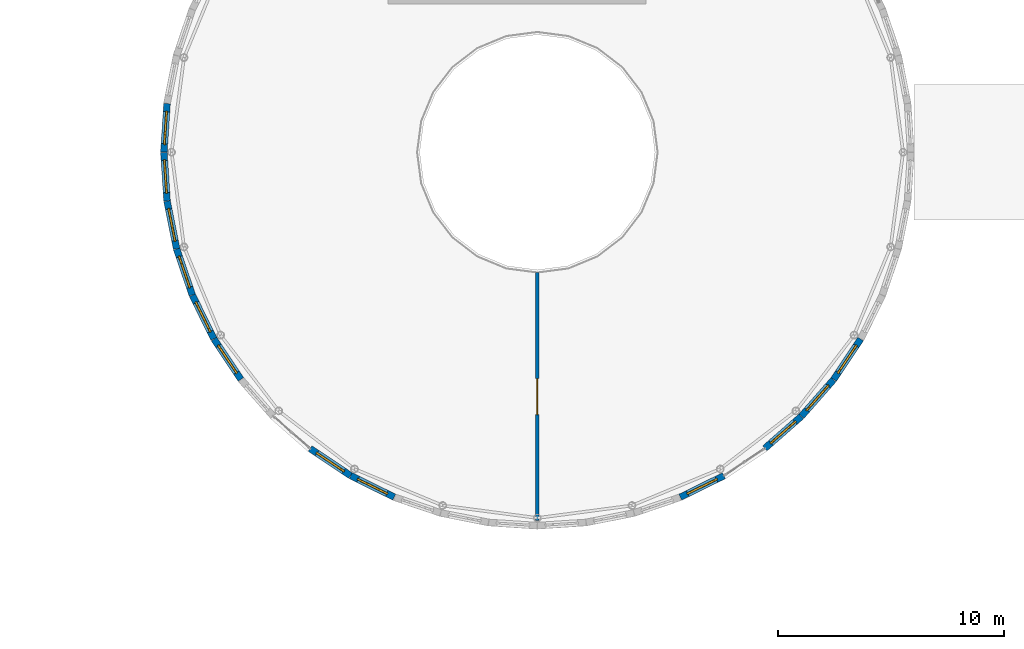
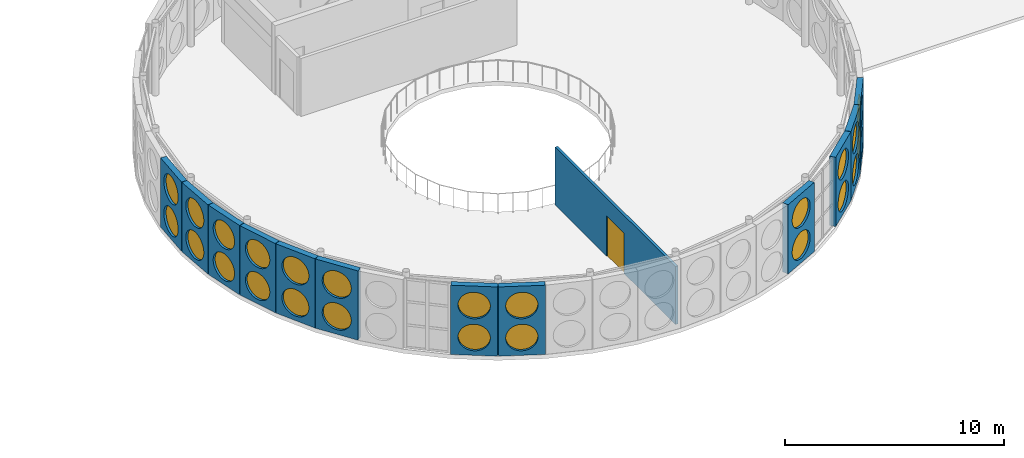
# One storey, part 159 of 189: 24 windows, 13 walls, 1 door, 25 openings.
"""IFC4 building model written with IfcOpenShell, lengths in metres."""

from ifc_helpers import new_model, si_unit, direction, frame, frame_2d, origin, place, context, subcontext, project, spatial, rectangle, circle, extrude, material, layer, layer_set, type_object, element, fill, save


model = new_model("IFC4")

# Units and contexts
model_context = context("Model", 3, precision=1e-05, world=origin(), true_north=direction((0.0, 1.0)))
body_context = subcontext(model_context, "Body", "Model", "MODEL_VIEW")
ifc_project = project(units=[si_unit("LENGTHUNIT", "METRE"), si_unit("AREAUNIT", "SQUARE_METRE"), si_unit("VOLUMEUNIT", "CUBIC_METRE"), si_unit("PLANEANGLEUNIT", "RADIAN"), si_unit("MASSUNIT", "GRAM", prefix="KILO")], contexts=[model_context])

# Site, building, storey
site_placement = place(None, origin())
site = spatial("IfcSite", under=ifc_project, at=site_placement, CompositionType="ELEMENT")
building_placement = place(site_placement, origin())
building = spatial("IfcBuilding", under=site, at=building_placement, Name="Montecoro Central Library", CompositionType="ELEMENT")
storey_placement = place(building_placement, frame((0.0, 0.0, 9.179931640625)))
storey = spatial("IfcBuildingStorey", under=building, at=storey_placement, Name="L02", CompositionType="ELEMENT", Elevation=9.179931640625)

# Wall, openings, windows
ifc_material_1 = material(Name="Travertine Roman Stone and concrete C35/45", Category="masonry")
ifc_layer_1 = layer(ifc_material_1, 0.294921875)
ifc_layer_set_1 = layer_set([ifc_layer_1], Name="Travertine Roman Stone and concrete C35/45")
wall_type_1 = type_object("IfcWallType", Name="EW-DRM-295", PredefinedType="SOLIDWALL", material=ifc_layer_set_1)
wall_1_placement = place(storey_placement, frame((75.219970703125, 37.548095703125, 0.0), z_axis=(0.0, 0.0, 1.0), x_axis=(-0.064773567518, -0.997899987449, 0.0)))
wall_1 = element("IfcWall", 1, at=wall_1_placement, inside=storey, type_object=wall_type_1, Name="V1-L02-EW-24", PredefinedType="SOLIDWALL", context=body_context, shape_type="SweptSolid", body=[
    extrude(rectangle(XDim=2.14453125, YDim=0.294921875, at=frame_2d((1.072265625, 0.0))), origin(), (0.0, 0.0, 1.0), 3.85498046875),
])
opening_1_placement = place(wall_1_placement, frame((0.33203125, 0.0, 0.25)))
opening_1 = element("IfcOpeningElement", 2, at=opening_1_placement, cuts=wall_1, Name="Opening WP-03", PredefinedType="OPENING", context=body_context, shape_type="SweptSolid", body=[
    extrude(circle(Radius=0.739990234375, at=frame_2d((0.739990234375, 0.739990234375))), frame((0.0, 0.157470703125, 0.0), z_axis=(0.0, -1.0, 0.0), x_axis=(1.0, 0.0, 0.0)), (0.0, 0.0, 1.0), 0.31494140625),
])
opening_2_placement = place(wall_1_placement, frame((0.33203125, 0.0, 2.030029296875)))
opening_2 = element("IfcOpeningElement", 3, at=opening_2_placement, cuts=wall_1, Name="Opening WP-04", PredefinedType="OPENING", context=body_context, shape_type="SweptSolid", body=[
    extrude(circle(Radius=0.739990234375, at=frame_2d((0.739990234375, 0.739990234375))), frame((0.0, 0.157470703125, 0.0), z_axis=(0.0, -1.0, 0.0), x_axis=(1.0, 0.0, 0.0)), (0.0, 0.0, 1.0), 0.31494140625),
])
ifc_material_2 = material(Name="Clear sky-blue low-E laminated glazing", Category="glass")
window_type_1 = type_object("IfcWindowType", Name="WN-POR-CLR-148", PartitioningType="SINGLE_PANEL", PredefinedType="WINDOW", material=ifc_material_2)
window_1_placement = place(opening_1_placement, origin())
window_1 = element("IfcWindow", 4, at=window_1_placement, inside=storey, type_object=window_type_1, Name="V1-L02-WP-24-1", OverallHeight=1.47998046875, OverallWidth=1.47998046875, PartitioningType="SINGLE_PANEL", PredefinedType="WINDOW", context=body_context, shape_type="SweptSolid", body=[
    extrude(circle(Radius=0.739990234375, at=frame_2d((0.739990234375, 0.739990234375))), frame((0.0, 0.030029296875, 0.0), z_axis=(0.0, -1.0, 0.0), x_axis=(1.0, 0.0, 0.0)), (0.0, 0.0, 1.0), 0.06005859375),
])
fill(opening_1, window_1)
ifc_material_3 = material(Name="Frosted pearl-white ceramic-fritted glazing", Category="glass")
window_type_2 = type_object("IfcWindowType", Name="WN-POR-FRT-148", PartitioningType="SINGLE_PANEL", PredefinedType="WINDOW", material=ifc_material_3)
window_2_placement = place(opening_2_placement, origin())
window_2 = element("IfcWindow", 5, at=window_2_placement, inside=storey, type_object=window_type_2, Name="V1-L02-WP-24-2", OverallHeight=1.47998046875, OverallWidth=1.47998046875, PartitioningType="SINGLE_PANEL", PredefinedType="WINDOW", context=body_context, shape_type="SweptSolid", body=[
    extrude(circle(Radius=0.739990234375, at=frame_2d((0.739990234375, 0.739990234375))), frame((0.0, 0.030029296875, 0.0), z_axis=(0.0, -1.0, 0.0), x_axis=(1.0, 0.0, 0.0)), (0.0, 0.0, 1.0), 0.06005859375),
])
fill(opening_2, window_2)

wall_2_placement = place(storey_placement, frame((75.0810546875, 35.39208984375, 0.0), z_axis=(0.0, 0.0, 1.0), x_axis=(0.064773567518, -0.997899987449, 0.0)))
wall_2 = element("IfcWall", 6, at=wall_2_placement, inside=storey, type_object=wall_type_1, Name="V1-L02-EW-25", PredefinedType="SOLIDWALL", context=body_context, shape_type="SweptSolid", body=[
    extrude(rectangle(XDim=2.14453125, YDim=0.294921875, at=frame_2d((1.072265625, 0.0))), origin(), (0.0, 0.0, 1.0), 3.85498046875),
])
opening_3_placement = place(wall_2_placement, frame((0.33203125, 0.0, 0.25)))
opening_3 = element("IfcOpeningElement", 7, at=opening_3_placement, cuts=wall_2, Name="Opening WP-04", PredefinedType="OPENING", context=body_context, shape_type="SweptSolid", body=[
    extrude(circle(Radius=0.739990234375, at=frame_2d((0.739990234375, 0.739990234375))), frame((0.0, 0.157470703125, 0.0), z_axis=(0.0, -1.0, 0.0), x_axis=(1.0, 0.0, 0.0)), (0.0, 0.0, 1.0), 0.31494140625),
])
opening_4_placement = place(wall_2_placement, frame((0.33203125, 0.0, 2.030029296875)))
opening_4 = element("IfcOpeningElement", 8, at=opening_4_placement, cuts=wall_2, Name="Opening WP-03", PredefinedType="OPENING", context=body_context, shape_type="SweptSolid", body=[
    extrude(circle(Radius=0.739990234375, at=frame_2d((0.739990234375, 0.739990234375))), frame((0.0, 0.157470703125, 0.0), z_axis=(0.0, -1.0, 0.0), x_axis=(1.0, 0.0, 0.0)), (0.0, 0.0, 1.0), 0.31494140625),
])
window_3_placement = place(opening_4_placement, origin())
window_3 = element("IfcWindow", 9, at=window_3_placement, inside=storey, type_object=window_type_1, Name="V1-L02-WP-25-2", OverallHeight=1.47998046875, OverallWidth=1.47998046875, PartitioningType="SINGLE_PANEL", PredefinedType="WINDOW", context=body_context, shape_type="SweptSolid", body=[
    extrude(circle(Radius=0.739990234375, at=frame_2d((0.739990234375, 0.739990234375))), frame((0.0, 0.030029296875, 0.0), z_axis=(0.0, -1.0, 0.0), x_axis=(1.0, 0.0, 0.0)), (0.0, 0.0, 1.0), 0.06005859375),
])
fill(opening_4, window_3)
window_4_placement = place(opening_3_placement, origin())
window_4 = element("IfcWindow", 10, at=window_4_placement, inside=storey, type_object=window_type_2, Name="V1-L02-WP-25-1", OverallHeight=1.47998046875, OverallWidth=1.47998046875, PartitioningType="SINGLE_PANEL", PredefinedType="WINDOW", context=body_context, shape_type="SweptSolid", body=[
    extrude(circle(Radius=0.739990234375, at=frame_2d((0.739990234375, 0.739990234375))), frame((0.0, 0.030029296875, 0.0), z_axis=(0.0, -1.0, 0.0), x_axis=(1.0, 0.0, 0.0)), (0.0, 0.0, 1.0), 0.06005859375),
])
fill(opening_3, window_4)

wall_3_placement = place(storey_placement, frame((75.222900390625, 33.236083984375, 0.0), z_axis=(0.0, 0.0, 1.0), x_axis=(0.194956014446, -0.98081198628, 0.0)))
wall_3 = element("IfcWall", 11, at=wall_3_placement, inside=storey, type_object=wall_type_1, Name="V1-L02-EW-26", PredefinedType="SOLIDWALL", context=body_context, shape_type="SweptSolid", body=[
    extrude(rectangle(XDim=2.145263671875, YDim=0.294921875, at=frame_2d((1.07275390625, 0.0))), origin(), (0.0, 0.0, 1.0), 3.85498046875),
])
opening_5_placement = place(wall_3_placement, frame((0.3330078125, 0.0, 0.25)))
opening_5 = element("IfcOpeningElement", 12, at=opening_5_placement, cuts=wall_3, Name="Opening WP-03", PredefinedType="OPENING", context=body_context, shape_type="SweptSolid", body=[
    extrude(circle(Radius=0.739990234375, at=frame_2d((0.739990234375, 0.739990234375))), frame((0.0, 0.157470703125, 0.0), z_axis=(0.0, -1.0, 0.0), x_axis=(1.0, 0.0, 0.0)), (0.0, 0.0, 1.0), 0.31494140625),
])
opening_6_placement = place(wall_3_placement, frame((0.3330078125, 0.0, 2.030029296875)))
opening_6 = element("IfcOpeningElement", 13, at=opening_6_placement, cuts=wall_3, Name="Opening WP-04", PredefinedType="OPENING", context=body_context, shape_type="SweptSolid", body=[
    extrude(circle(Radius=0.739990234375, at=frame_2d((0.739990234375, 0.739990234375))), frame((0.0, 0.157470703125, 0.0), z_axis=(0.0, -1.0, 0.0), x_axis=(1.0, 0.0, 0.0)), (0.0, 0.0, 1.0), 0.31494140625),
])
window_5_placement = place(opening_5_placement, origin())
window_5 = element("IfcWindow", 14, at=window_5_placement, inside=storey, type_object=window_type_1, Name="V1-L02-WP-26-1", OverallHeight=1.47998046875, OverallWidth=1.47998046875, PartitioningType="SINGLE_PANEL", PredefinedType="WINDOW", context=body_context, shape_type="SweptSolid", body=[
    extrude(circle(Radius=0.739990234375, at=frame_2d((0.739990234375, 0.739990234375))), frame((0.0, 0.030029296875, 0.0), z_axis=(0.0, -1.0, 0.0), x_axis=(1.0, 0.0, 0.0)), (0.0, 0.0, 1.0), 0.06005859375),
])
fill(opening_5, window_5)
window_6_placement = place(opening_6_placement, origin())
window_6 = element("IfcWindow", 15, at=window_6_placement, inside=storey, type_object=window_type_2, Name="V1-L02-WP-26-2", OverallHeight=1.47998046875, OverallWidth=1.47998046875, PartitioningType="SINGLE_PANEL", PredefinedType="WINDOW", context=body_context, shape_type="SweptSolid", body=[
    extrude(circle(Radius=0.739990234375, at=frame_2d((0.739990234375, 0.739990234375))), frame((0.0, 0.030029296875, 0.0), z_axis=(0.0, -1.0, 0.0), x_axis=(1.0, 0.0, 0.0)), (0.0, 0.0, 1.0), 0.06005859375),
])
fill(opening_6, window_6)

wall_4_placement = place(storey_placement, frame((75.64599609375, 31.115966796875, 0.0), z_axis=(0.0, 0.0, 1.0), x_axis=(0.321382058047, -0.946949614692, 0.0)))
wall_4 = element("IfcWall", 16, at=wall_4_placement, inside=storey, type_object=wall_type_1, Name="V1-L02-EW-27", PredefinedType="SOLIDWALL", context=body_context, shape_type="SweptSolid", body=[
    extrude(rectangle(XDim=2.143798828125, YDim=0.294921875, at=frame_2d((1.07177734375, 0.0))), origin(), (0.0, 0.0, 1.0), 3.85498046875),
])
opening_7_placement = place(wall_4_placement, frame((0.33203125, 0.0, 0.25)))
opening_7 = element("IfcOpeningElement", 17, at=opening_7_placement, cuts=wall_4, Name="Opening WP-04", PredefinedType="OPENING", context=body_context, shape_type="SweptSolid", body=[
    extrude(circle(Radius=0.739990234375, at=frame_2d((0.739990234375, 0.739990234375))), frame((0.0, 0.157470703125, 0.0), z_axis=(0.0, -1.0, 0.0), x_axis=(1.0, 0.0, 0.0)), (0.0, 0.0, 1.0), 0.31494140625),
])
opening_8_placement = place(wall_4_placement, frame((0.33203125, 0.0, 2.030029296875)))
opening_8 = element("IfcOpeningElement", 18, at=opening_8_placement, cuts=wall_4, Name="Opening WP-03", PredefinedType="OPENING", context=body_context, shape_type="SweptSolid", body=[
    extrude(circle(Radius=0.739990234375, at=frame_2d((0.739990234375, 0.739990234375))), frame((0.0, 0.157470703125, 0.0), z_axis=(0.0, -1.0, 0.0), x_axis=(1.0, 0.0, 0.0)), (0.0, 0.0, 1.0), 0.31494140625),
])
window_7_placement = place(opening_8_placement, origin())
window_7 = element("IfcWindow", 19, at=window_7_placement, inside=storey, type_object=window_type_1, Name="V1-L02-WP-27-2", OverallHeight=1.47998046875, OverallWidth=1.47998046875, PartitioningType="SINGLE_PANEL", PredefinedType="WINDOW", context=body_context, shape_type="SweptSolid", body=[
    extrude(circle(Radius=0.739990234375, at=frame_2d((0.739990234375, 0.739990234375))), frame((0.0, 0.030029296875, 0.0), z_axis=(0.0, -1.0, 0.0), x_axis=(1.0, 0.0, 0.0)), (0.0, 0.0, 1.0), 0.06005859375),
])
fill(opening_8, window_7)
window_8_placement = place(opening_7_placement, origin())
window_8 = element("IfcWindow", 20, at=window_8_placement, inside=storey, type_object=window_type_2, Name="V1-L02-WP-27-1", OverallHeight=1.47998046875, OverallWidth=1.47998046875, PartitioningType="SINGLE_PANEL", PredefinedType="WINDOW", context=body_context, shape_type="SweptSolid", body=[
    extrude(circle(Radius=0.739990234375, at=frame_2d((0.739990234375, 0.739990234375))), frame((0.0, 0.030029296875, 0.0), z_axis=(0.0, -1.0, 0.0), x_axis=(1.0, 0.0, 0.0)), (0.0, 0.0, 1.0), 0.06005859375),
])
fill(opening_7, window_8)

wall_5_placement = place(storey_placement, frame((76.342041015625, 29.071044921875, 0.0), z_axis=(0.0, 0.0, 1.0), x_axis=(0.441603666205, -0.897210232885, 0.0)))
wall_5 = element("IfcWall", 21, at=wall_5_placement, inside=storey, type_object=wall_type_1, Name="V1-L02-EW-28", PredefinedType="SOLIDWALL", context=body_context, shape_type="SweptSolid", body=[
    extrude(rectangle(XDim=2.14453125, YDim=0.294921875, at=frame_2d((1.072265625, 0.0))), origin(), (0.0, 0.0, 1.0), 3.85498046875),
])
opening_9_placement = place(wall_5_placement, frame((0.33203125, 0.0, 0.25)))
opening_9 = element("IfcOpeningElement", 22, at=opening_9_placement, cuts=wall_5, Name="Opening WP-03", PredefinedType="OPENING", context=body_context, shape_type="SweptSolid", body=[
    extrude(circle(Radius=0.739990234375, at=frame_2d((0.739990234375, 0.739990234375))), frame((0.0, 0.157470703125, 0.0), z_axis=(0.0, -1.0, 0.0), x_axis=(1.0, 0.0, 0.0)), (0.0, 0.0, 1.0), 0.31494140625),
])
opening_10_placement = place(wall_5_placement, frame((0.33203125, 0.0, 2.030029296875)))
opening_10 = element("IfcOpeningElement", 23, at=opening_10_placement, cuts=wall_5, Name="Opening WP-04", PredefinedType="OPENING", context=body_context, shape_type="SweptSolid", body=[
    extrude(circle(Radius=0.739990234375, at=frame_2d((0.739990234375, 0.739990234375))), frame((0.0, 0.157470703125, 0.0), z_axis=(0.0, -1.0, 0.0), x_axis=(1.0, 0.0, 0.0)), (0.0, 0.0, 1.0), 0.31494140625),
])
window_9_placement = place(opening_9_placement, origin())
window_9 = element("IfcWindow", 24, at=window_9_placement, inside=storey, type_object=window_type_1, Name="V1-L02-WP-28-1", OverallHeight=1.47998046875, OverallWidth=1.47998046875, PartitioningType="SINGLE_PANEL", PredefinedType="WINDOW", context=body_context, shape_type="SweptSolid", body=[
    extrude(circle(Radius=0.739990234375, at=frame_2d((0.739990234375, 0.739990234375))), frame((0.0, 0.030029296875, 0.0), z_axis=(0.0, -1.0, 0.0), x_axis=(1.0, 0.0, 0.0)), (0.0, 0.0, 1.0), 0.06005859375),
])
fill(opening_9, window_9)
window_10_placement = place(opening_10_placement, origin())
window_10 = element("IfcWindow", 25, at=window_10_placement, inside=storey, type_object=window_type_2, Name="V1-L02-WP-28-2", OverallHeight=1.47998046875, OverallWidth=1.47998046875, PartitioningType="SINGLE_PANEL", PredefinedType="WINDOW", context=body_context, shape_type="SweptSolid", body=[
    extrude(circle(Radius=0.739990234375, at=frame_2d((0.739990234375, 0.739990234375))), frame((0.0, 0.030029296875, 0.0), z_axis=(0.0, -1.0, 0.0), x_axis=(1.0, 0.0, 0.0)), (0.0, 0.0, 1.0), 0.06005859375),
])
fill(opening_10, window_10)

wall_6_placement = place(storey_placement, frame((77.297119140625, 27.133056640625, 0.0), z_axis=(0.0, 0.0, 1.0), x_axis=(0.556065143197, -0.831138710759, 0.0)))
wall_6 = element("IfcWall", 26, at=wall_6_placement, inside=storey, type_object=wall_type_1, Name="V1-L02-EW-29", PredefinedType="SOLIDWALL", context=body_context, shape_type="SweptSolid", body=[
    extrude(rectangle(XDim=2.145263671875, YDim=0.294921875, at=frame_2d((1.07275390625, 0.0))), origin(), (0.0, 0.0, 1.0), 3.85498046875),
])
opening_11_placement = place(wall_6_placement, frame((0.3330078125, 0.0, 0.25)))
opening_11 = element("IfcOpeningElement", 27, at=opening_11_placement, cuts=wall_6, Name="Opening WP-04", PredefinedType="OPENING", context=body_context, shape_type="SweptSolid", body=[
    extrude(circle(Radius=0.739990234375, at=frame_2d((0.739990234375, 0.739990234375))), frame((0.0, 0.157470703125, 0.0), z_axis=(0.0, -1.0, 0.0), x_axis=(1.0, 0.0, 0.0)), (0.0, 0.0, 1.0), 0.31494140625),
])
opening_12_placement = place(wall_6_placement, frame((0.3330078125, 0.0, 2.030029296875)))
opening_12 = element("IfcOpeningElement", 28, at=opening_12_placement, cuts=wall_6, Name="Opening WP-03", PredefinedType="OPENING", context=body_context, shape_type="SweptSolid", body=[
    extrude(circle(Radius=0.739990234375, at=frame_2d((0.739990234375, 0.739990234375))), frame((0.0, 0.157470703125, 0.0), z_axis=(0.0, -1.0, 0.0), x_axis=(1.0, 0.0, 0.0)), (0.0, 0.0, 1.0), 0.31494140625),
])
window_11_placement = place(opening_12_placement, origin())
window_11 = element("IfcWindow", 29, at=window_11_placement, inside=storey, type_object=window_type_1, Name="V1-L02-WP-29-2", OverallHeight=1.47998046875, OverallWidth=1.47998046875, PartitioningType="SINGLE_PANEL", PredefinedType="WINDOW", context=body_context, shape_type="SweptSolid", body=[
    extrude(circle(Radius=0.739990234375, at=frame_2d((0.739990234375, 0.739990234375))), frame((0.0, 0.030029296875, 0.0), z_axis=(0.0, -1.0, 0.0), x_axis=(1.0, 0.0, 0.0)), (0.0, 0.0, 1.0), 0.06005859375),
])
fill(opening_12, window_11)
window_12_placement = place(opening_11_placement, origin())
window_12 = element("IfcWindow", 30, at=window_12_placement, inside=storey, type_object=window_type_2, Name="V1-L02-WP-29-1", OverallHeight=1.47998046875, OverallWidth=1.47998046875, PartitioningType="SINGLE_PANEL", PredefinedType="WINDOW", context=body_context, shape_type="SweptSolid", body=[
    extrude(circle(Radius=0.739990234375, at=frame_2d((0.739990234375, 0.739990234375))), frame((0.0, 0.030029296875, 0.0), z_axis=(0.0, -1.0, 0.0), x_axis=(1.0, 0.0, 0.0)), (0.0, 0.0, 1.0), 0.06005859375),
])
fill(opening_11, window_12)

wall_7_placement = place(storey_placement, frame((81.550048828125, 22.2900390625, 0.0), z_axis=(0.0, 0.0, 1.0), x_axis=(0.831086112108, -0.556143753234, 0.0)))
wall_7 = element("IfcWall", 31, at=wall_7_placement, inside=storey, type_object=wall_type_1, Name="V1-L02-EW-32", PredefinedType="SOLIDWALL", context=body_context, shape_type="SweptSolid", body=[
    extrude(rectangle(XDim=2.145263671875, YDim=0.294921875, at=frame_2d((1.07275390625, 0.0))), origin(), (0.0, 0.0, 1.0), 3.85498046875),
])
opening_13_placement = place(wall_7_placement, frame((0.3330078125, 0.0, 0.25)))
opening_13 = element("IfcOpeningElement", 32, at=opening_13_placement, cuts=wall_7, Name="Opening WP-03", PredefinedType="OPENING", context=body_context, shape_type="SweptSolid", body=[
    extrude(circle(Radius=0.739990234375, at=frame_2d((0.739990234375, 0.739990234375))), frame((0.0, 0.157470703125, 0.0), z_axis=(0.0, -1.0, 0.0), x_axis=(1.0, 0.0, 0.0)), (0.0, 0.0, 1.0), 0.31494140625),
])
opening_14_placement = place(wall_7_placement, frame((0.3330078125, 0.0, 2.030029296875)))
opening_14 = element("IfcOpeningElement", 33, at=opening_14_placement, cuts=wall_7, Name="Opening WP-04", PredefinedType="OPENING", context=body_context, shape_type="SweptSolid", body=[
    extrude(circle(Radius=0.739990234375, at=frame_2d((0.739990234375, 0.739990234375))), frame((0.0, 0.157470703125, 0.0), z_axis=(0.0, -1.0, 0.0), x_axis=(1.0, 0.0, 0.0)), (0.0, 0.0, 1.0), 0.31494140625),
])
window_13_placement = place(opening_13_placement, origin())
window_13 = element("IfcWindow", 34, at=window_13_placement, inside=storey, type_object=window_type_1, Name="V1-L02-WP-32-1", OverallHeight=1.47998046875, OverallWidth=1.47998046875, PartitioningType="SINGLE_PANEL", PredefinedType="WINDOW", context=body_context, shape_type="SweptSolid", body=[
    extrude(circle(Radius=0.739990234375, at=frame_2d((0.739990234375, 0.739990234375))), frame((0.0, 0.030029296875, 0.0), z_axis=(0.0, -1.0, 0.0), x_axis=(1.0, 0.0, 0.0)), (0.0, 0.0, 1.0), 0.06005859375),
])
fill(opening_13, window_13)
window_14_placement = place(opening_14_placement, origin())
window_14 = element("IfcWindow", 35, at=window_14_placement, inside=storey, type_object=window_type_2, Name="V1-L02-WP-32-2", OverallHeight=1.47998046875, OverallWidth=1.47998046875, PartitioningType="SINGLE_PANEL", PredefinedType="WINDOW", context=body_context, shape_type="SweptSolid", body=[
    extrude(circle(Radius=0.739990234375, at=frame_2d((0.739990234375, 0.739990234375))), frame((0.0, 0.030029296875, 0.0), z_axis=(0.0, -1.0, 0.0), x_axis=(1.0, 0.0, 0.0)), (0.0, 0.0, 1.0), 0.06005859375),
])
fill(opening_14, window_14)

wall_8_placement = place(storey_placement, frame((83.346923828125, 21.089111328125, 0.0), z_axis=(0.0, 0.0, 1.0), x_axis=(0.897210232885, -0.441603666205, 0.0)))
wall_8 = element("IfcWall", 36, at=wall_8_placement, inside=storey, type_object=wall_type_1, Name="V1-L02-EW-33", PredefinedType="SOLIDWALL", context=body_context, shape_type="SweptSolid", body=[
    extrude(rectangle(XDim=2.14453125, YDim=0.294921875, at=frame_2d((1.072265625, 0.0))), origin(), (0.0, 0.0, 1.0), 3.85498046875),
])
opening_15_placement = place(wall_8_placement, frame((0.33203125, 0.0, 0.25)))
opening_15 = element("IfcOpeningElement", 37, at=opening_15_placement, cuts=wall_8, Name="Opening WP-04", PredefinedType="OPENING", context=body_context, shape_type="SweptSolid", body=[
    extrude(circle(Radius=0.739990234375, at=frame_2d((0.739990234375, 0.739990234375))), frame((0.0, 0.157470703125, 0.0), z_axis=(0.0, -1.0, 0.0), x_axis=(1.0, 0.0, 0.0)), (0.0, 0.0, 1.0), 0.31494140625),
])
opening_16_placement = place(wall_8_placement, frame((0.33203125, 0.0, 2.030029296875)))
opening_16 = element("IfcOpeningElement", 38, at=opening_16_placement, cuts=wall_8, Name="Opening WP-03", PredefinedType="OPENING", context=body_context, shape_type="SweptSolid", body=[
    extrude(circle(Radius=0.739990234375, at=frame_2d((0.739990234375, 0.739990234375))), frame((0.0, 0.157470703125, 0.0), z_axis=(0.0, -1.0, 0.0), x_axis=(1.0, 0.0, 0.0)), (0.0, 0.0, 1.0), 0.31494140625),
])
window_15_placement = place(opening_16_placement, origin())
window_15 = element("IfcWindow", 39, at=window_15_placement, inside=storey, type_object=window_type_1, Name="V1-L02-WP-33-2", OverallHeight=1.47998046875, OverallWidth=1.47998046875, PartitioningType="SINGLE_PANEL", PredefinedType="WINDOW", context=body_context, shape_type="SweptSolid", body=[
    extrude(circle(Radius=0.739990234375, at=frame_2d((0.739990234375, 0.739990234375))), frame((0.0, 0.030029296875, 0.0), z_axis=(0.0, -1.0, 0.0), x_axis=(1.0, 0.0, 0.0)), (0.0, 0.0, 1.0), 0.06005859375),
])
fill(opening_16, window_15)
window_16_placement = place(opening_15_placement, origin())
window_16 = element("IfcWindow", 40, at=window_16_placement, inside=storey, type_object=window_type_2, Name="V1-L02-WP-33-1", OverallHeight=1.47998046875, OverallWidth=1.47998046875, PartitioningType="SINGLE_PANEL", PredefinedType="WINDOW", context=body_context, shape_type="SweptSolid", body=[
    extrude(circle(Radius=0.739990234375, at=frame_2d((0.739990234375, 0.739990234375))), frame((0.0, 0.030029296875, 0.0), z_axis=(0.0, -1.0, 0.0), x_axis=(1.0, 0.0, 0.0)), (0.0, 0.0, 1.0), 0.06005859375),
])
fill(opening_15, window_16)

wall_9_placement = place(storey_placement, frame((97.928955078125, 20.14208984375, 0.0), z_axis=(0.0, 0.0, 1.0), x_axis=(0.897210232885, 0.441603666205, 0.0)))
wall_9 = element("IfcWall", 41, at=wall_9_placement, inside=storey, type_object=wall_type_1, Name="V1-L02-EW-40", PredefinedType="SOLIDWALL", context=body_context, shape_type="SweptSolid", body=[
    extrude(rectangle(XDim=2.14453125, YDim=0.294921875, at=frame_2d((1.072265625, 0.0))), origin(), (0.0, 0.0, 1.0), 3.85498046875),
])
opening_17_placement = place(wall_9_placement, frame((0.33203125, 0.0, 0.25)))
opening_17 = element("IfcOpeningElement", 42, at=opening_17_placement, cuts=wall_9, Name="Opening WP-03", PredefinedType="OPENING", context=body_context, shape_type="SweptSolid", body=[
    extrude(circle(Radius=0.739990234375, at=frame_2d((0.739990234375, 0.739990234375))), frame((0.0, 0.157470703125, 0.0), z_axis=(0.0, -1.0, 0.0), x_axis=(1.0, 0.0, 0.0)), (0.0, 0.0, 1.0), 0.31494140625),
])
opening_18_placement = place(wall_9_placement, frame((0.33203125, 0.0, 2.030029296875)))
opening_18 = element("IfcOpeningElement", 43, at=opening_18_placement, cuts=wall_9, Name="Opening WP-04", PredefinedType="OPENING", context=body_context, shape_type="SweptSolid", body=[
    extrude(circle(Radius=0.739990234375, at=frame_2d((0.739990234375, 0.739990234375))), frame((0.0, 0.157470703125, 0.0), z_axis=(0.0, -1.0, 0.0), x_axis=(1.0, 0.0, 0.0)), (0.0, 0.0, 1.0), 0.31494140625),
])
window_17_placement = place(opening_17_placement, origin())
window_17 = element("IfcWindow", 44, at=window_17_placement, inside=storey, type_object=window_type_1, Name="V1-L02-WP-40-1", OverallHeight=1.47998046875, OverallWidth=1.47998046875, PartitioningType="SINGLE_PANEL", PredefinedType="WINDOW", context=body_context, shape_type="SweptSolid", body=[
    extrude(circle(Radius=0.739990234375, at=frame_2d((0.739990234375, 0.739990234375))), frame((0.0, 0.030029296875, 0.0), z_axis=(0.0, -1.0, 0.0), x_axis=(1.0, 0.0, 0.0)), (0.0, 0.0, 1.0), 0.06005859375),
])
fill(opening_17, window_17)
window_18_placement = place(opening_18_placement, origin())
window_18 = element("IfcWindow", 45, at=window_18_placement, inside=storey, type_object=window_type_2, Name="V1-L02-WP-40-2", OverallHeight=1.47998046875, OverallWidth=1.47998046875, PartitioningType="SINGLE_PANEL", PredefinedType="WINDOW", context=body_context, shape_type="SweptSolid", body=[
    extrude(circle(Radius=0.739990234375, at=frame_2d((0.739990234375, 0.739990234375))), frame((0.0, 0.030029296875, 0.0), z_axis=(0.0, -1.0, 0.0), x_axis=(1.0, 0.0, 0.0)), (0.0, 0.0, 1.0), 0.06005859375),
])
fill(opening_18, window_18)

wall_10_placement = place(storey_placement, frame((101.6630859375, 22.299072265625, 0.0), z_axis=(0.0, 0.0, 1.0), x_axis=(0.751489776362, 0.659744735503, 0.0)))
wall_10 = element("IfcWall", 46, at=wall_10_placement, inside=storey, type_object=wall_type_1, Name="V1-L02-EW-42", PredefinedType="SOLIDWALL", context=body_context, shape_type="SweptSolid", body=[
    extrude(rectangle(XDim=2.144775390625, YDim=0.294921875, at=frame_2d((1.072265625, 0.0))), origin(), (0.0, 0.0, 1.0), 3.85498046875),
])
opening_19_placement = place(wall_10_placement, frame((0.33203125, 0.0, 0.25)))
opening_19 = element("IfcOpeningElement", 47, at=opening_19_placement, cuts=wall_10, Name="Opening WP-03", PredefinedType="OPENING", context=body_context, shape_type="SweptSolid", body=[
    extrude(circle(Radius=0.739990234375, at=frame_2d((0.739990234375, 0.739990234375))), frame((0.0, 0.157470703125, 0.0), z_axis=(0.0, -1.0, 0.0), x_axis=(1.0, 0.0, 0.0)), (0.0, 0.0, 1.0), 0.31494140625),
])
opening_20_placement = place(wall_10_placement, frame((0.33203125, 0.0, 2.030029296875)))
opening_20 = element("IfcOpeningElement", 48, at=opening_20_placement, cuts=wall_10, Name="Opening WP-04", PredefinedType="OPENING", context=body_context, shape_type="SweptSolid", body=[
    extrude(circle(Radius=0.739990234375, at=frame_2d((0.739990234375, 0.739990234375))), frame((0.0, 0.157470703125, 0.0), z_axis=(0.0, -1.0, 0.0), x_axis=(1.0, 0.0, 0.0)), (0.0, 0.0, 1.0), 0.31494140625),
])
window_19_placement = place(opening_19_placement, origin())
window_19 = element("IfcWindow", 49, at=window_19_placement, inside=storey, type_object=window_type_1, Name="V1-L02-WP-42-1", OverallHeight=1.47998046875, OverallWidth=1.47998046875, PartitioningType="SINGLE_PANEL", PredefinedType="WINDOW", context=body_context, shape_type="SweptSolid", body=[
    extrude(circle(Radius=0.739990234375, at=frame_2d((0.739990234375, 0.739990234375))), frame((0.0, 0.030029296875, 0.0), z_axis=(0.0, -1.0, 0.0), x_axis=(1.0, 0.0, 0.0)), (0.0, 0.0, 1.0), 0.06005859375),
])
fill(opening_19, window_19)
window_20_placement = place(opening_20_placement, origin())
window_20 = element("IfcWindow", 50, at=window_20_placement, inside=storey, type_object=window_type_2, Name="V1-L02-WP-42-2", OverallHeight=1.47998046875, OverallWidth=1.47998046875, PartitioningType="SINGLE_PANEL", PredefinedType="WINDOW", context=body_context, shape_type="SweptSolid", body=[
    extrude(circle(Radius=0.739990234375, at=frame_2d((0.739990234375, 0.739990234375))), frame((0.0, 0.030029296875, 0.0), z_axis=(0.0, -1.0, 0.0), x_axis=(1.0, 0.0, 0.0)), (0.0, 0.0, 1.0), 0.06005859375),
])
fill(opening_20, window_20)

wall_11_placement = place(storey_placement, frame((103.285888671875, 23.72509765625, 0.0), z_axis=(0.0, 0.0, 1.0), x_axis=(0.659744735503, 0.751489776362, 0.0)))
wall_11 = element("IfcWall", 51, at=wall_11_placement, inside=storey, type_object=wall_type_1, Name="V1-L02-EW-43", PredefinedType="SOLIDWALL", context=body_context, shape_type="SweptSolid", body=[
    extrude(rectangle(XDim=2.144775390625, YDim=0.294921875, at=frame_2d((1.072265625, 0.0))), origin(), (0.0, 0.0, 1.0), 3.85498046875),
])
opening_21_placement = place(wall_11_placement, frame((0.33203125, 0.0, 0.25)))
opening_21 = element("IfcOpeningElement", 52, at=opening_21_placement, cuts=wall_11, Name="Opening WP-04", PredefinedType="OPENING", context=body_context, shape_type="SweptSolid", body=[
    extrude(circle(Radius=0.739990234375, at=frame_2d((0.739990234375, 0.739990234375))), frame((0.0, 0.157470703125, 0.0), z_axis=(0.0, -1.0, 0.0), x_axis=(1.0, 0.0, 0.0)), (0.0, 0.0, 1.0), 0.31494140625),
])
opening_22_placement = place(wall_11_placement, frame((0.33203125, 0.0, 2.030029296875)))
opening_22 = element("IfcOpeningElement", 53, at=opening_22_placement, cuts=wall_11, Name="Opening WP-03", PredefinedType="OPENING", context=body_context, shape_type="SweptSolid", body=[
    extrude(circle(Radius=0.739990234375, at=frame_2d((0.739990234375, 0.739990234375))), frame((0.0, 0.157470703125, 0.0), z_axis=(0.0, -1.0, 0.0), x_axis=(1.0, 0.0, 0.0)), (0.0, 0.0, 1.0), 0.31494140625),
])
window_21_placement = place(opening_22_placement, origin())
window_21 = element("IfcWindow", 54, at=window_21_placement, inside=storey, type_object=window_type_1, Name="V1-L02-WP-43-2", OverallHeight=1.47998046875, OverallWidth=1.47998046875, PartitioningType="SINGLE_PANEL", PredefinedType="WINDOW", context=body_context, shape_type="SweptSolid", body=[
    extrude(circle(Radius=0.739990234375, at=frame_2d((0.739990234375, 0.739990234375))), frame((0.0, 0.030029296875, 0.0), z_axis=(0.0, -1.0, 0.0), x_axis=(1.0, 0.0, 0.0)), (0.0, 0.0, 1.0), 0.06005859375),
])
fill(opening_22, window_21)
window_22_placement = place(opening_21_placement, origin())
window_22 = element("IfcWindow", 55, at=window_22_placement, inside=storey, type_object=window_type_2, Name="V1-L02-WP-43-1", OverallHeight=1.47998046875, OverallWidth=1.47998046875, PartitioningType="SINGLE_PANEL", PredefinedType="WINDOW", context=body_context, shape_type="SweptSolid", body=[
    extrude(circle(Radius=0.739990234375, at=frame_2d((0.739990234375, 0.739990234375))), frame((0.0, 0.030029296875, 0.0), z_axis=(0.0, -1.0, 0.0), x_axis=(1.0, 0.0, 0.0)), (0.0, 0.0, 1.0), 0.06005859375),
])
fill(opening_21, window_22)

wall_12_placement = place(storey_placement, frame((104.7099609375, 25.35009765625, 0.0), z_axis=(0.0, 0.0, 1.0), x_axis=(0.556143753234, 0.831086112108, 0.0)))
wall_12 = element("IfcWall", 56, at=wall_12_placement, inside=storey, type_object=wall_type_1, Name="V1-L02-EW-44", PredefinedType="SOLIDWALL", context=body_context, shape_type="SweptSolid", body=[
    extrude(rectangle(XDim=2.145263671875, YDim=0.294921875, at=frame_2d((1.07275390625, 0.0))), origin(), (0.0, 0.0, 1.0), 3.85498046875),
])
opening_23_placement = place(wall_12_placement, frame((0.3330078125, 0.0, 0.25)))
opening_23 = element("IfcOpeningElement", 57, at=opening_23_placement, cuts=wall_12, Name="Opening WP-03", PredefinedType="OPENING", context=body_context, shape_type="SweptSolid", body=[
    extrude(circle(Radius=0.739990234375, at=frame_2d((0.739990234375, 0.739990234375))), frame((0.0, 0.157470703125, 0.0), z_axis=(0.0, -1.0, 0.0), x_axis=(1.0, 0.0, 0.0)), (0.0, 0.0, 1.0), 0.31494140625),
])
opening_24_placement = place(wall_12_placement, frame((0.3330078125, 0.0, 2.030029296875)))
opening_24 = element("IfcOpeningElement", 58, at=opening_24_placement, cuts=wall_12, Name="Opening WP-04", PredefinedType="OPENING", context=body_context, shape_type="SweptSolid", body=[
    extrude(circle(Radius=0.739990234375, at=frame_2d((0.739990234375, 0.739990234375))), frame((0.0, 0.157470703125, 0.0), z_axis=(0.0, -1.0, 0.0), x_axis=(1.0, 0.0, 0.0)), (0.0, 0.0, 1.0), 0.31494140625),
])
window_23_placement = place(opening_23_placement, origin())
window_23 = element("IfcWindow", 59, at=window_23_placement, inside=storey, type_object=window_type_1, Name="V1-L02-WP-44-1", OverallHeight=1.47998046875, OverallWidth=1.47998046875, PartitioningType="SINGLE_PANEL", PredefinedType="WINDOW", context=body_context, shape_type="SweptSolid", body=[
    extrude(circle(Radius=0.739990234375, at=frame_2d((0.739990234375, 0.739990234375))), frame((0.0, 0.030029296875, 0.0), z_axis=(0.0, -1.0, 0.0), x_axis=(1.0, 0.0, 0.0)), (0.0, 0.0, 1.0), 0.06005859375),
])
fill(opening_23, window_23)
window_24_placement = place(opening_24_placement, origin())
window_24 = element("IfcWindow", 60, at=window_24_placement, inside=storey, type_object=window_type_2, Name="V1-L02-WP-44-2", OverallHeight=1.47998046875, OverallWidth=1.47998046875, PartitioningType="SINGLE_PANEL", PredefinedType="WINDOW", context=body_context, shape_type="SweptSolid", body=[
    extrude(circle(Radius=0.739990234375, at=frame_2d((0.739990234375, 0.739990234375))), frame((0.0, 0.030029296875, 0.0), z_axis=(0.0, -1.0, 0.0), x_axis=(1.0, 0.0, 0.0)), (0.0, 0.0, 1.0), 0.06005859375),
])
fill(opening_24, window_24)

# Wall, opening, door
ifc_material_4 = material(Name="Gypsum metal-stud partition")
ifc_layer_2 = layer(ifc_material_4, 0.139892578125)
ifc_layer_set_2 = layer_set([ifc_layer_2], Name="Gypsum metal-stud partition")
wall_type_2 = type_object("IfcWallType", Name="IW-PRT-140", PredefinedType="PARTITIONING", material=ifc_layer_set_2)
wall_13_placement = place(storey_placement, frame((91.60009765625, 19.10009765625, 0.0), z_axis=(0.0, 0.0, 1.0), x_axis=(0.0, 1.0, 0.0)))
wall_13 = element("IfcWall", 61, at=wall_13_placement, inside=storey, type_object=wall_type_2, Name="V1-L02-SPINE-S", PredefinedType="PARTITIONING", context=body_context, shape_type="SweptSolid", body=[
    extrude(rectangle(XDim=10.97998046875, YDim=0.139892578125, at=frame_2d((5.489990234375, 0.0))), origin(), (0.0, 0.0, 1.0), 3.22998046875),
])
opening_25_placement = place(wall_13_placement, frame((4.68994140625, 0.0, 0.0)))
opening_25 = element("IfcOpeningElement", 62, at=opening_25_placement, cuts=wall_13, Name="Opening ID-06", PredefinedType="OPENING", context=body_context, shape_type="SweptSolid", body=[
    extrude(rectangle(XDim=1.60009765625, YDim=2.25, at=frame_2d((0.800048828125, 1.125))), frame((0.0, 0.079833984375, 0.0), z_axis=(0.0, -1.0, 0.0), x_axis=(1.0, 0.0, 0.0)), (0.0, 0.0, 1.0), 0.159912109375),
])
ifc_material_5 = material(Name="Solid oak and fire-rated steel door", Category="steel")
door_type = type_object("IfcDoorType", Name="ID-COR-160", OperationType="NOTDEFINED", PredefinedType="DOOR", material=ifc_material_5)
door_placement = place(opening_25_placement, origin())
door = element("IfcDoor", 63, at=door_placement, inside=storey, type_object=door_type, Name="V1-L02-DR-SPINE", OperationType="DOUBLE_DOOR_SINGLE_SWING", OverallHeight=2.25, OverallWidth=1.60009765625, PredefinedType="DOOR", context=body_context, shape_type="SweptSolid", body=[
    extrude(rectangle(XDim=1.60009765625, YDim=2.25, at=frame_2d((0.800048828125, 1.125))), frame((0.0, 0.02490234375, 0.0), z_axis=(0.0, -1.0, 0.0), x_axis=(1.0, 0.0, 0.0)), (0.0, 0.0, 1.0), 0.050048828125),
])
fill(opening_25, door)

save(model, "model.ifc")
